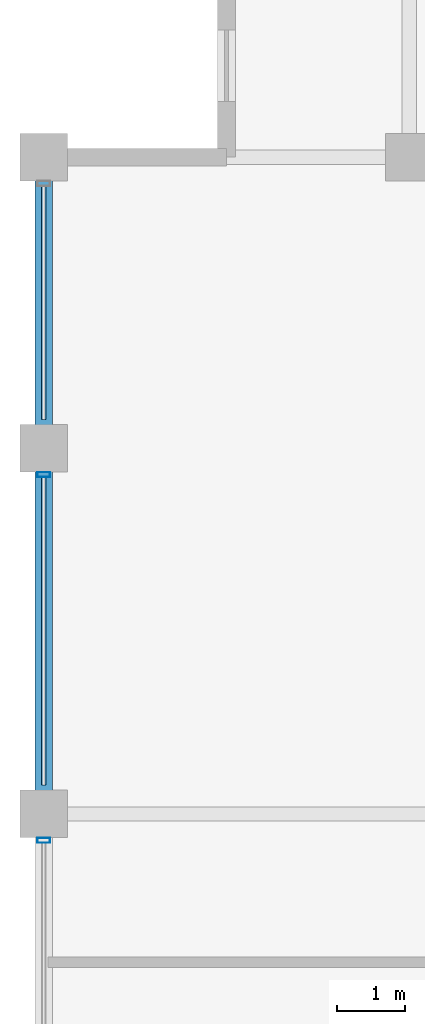
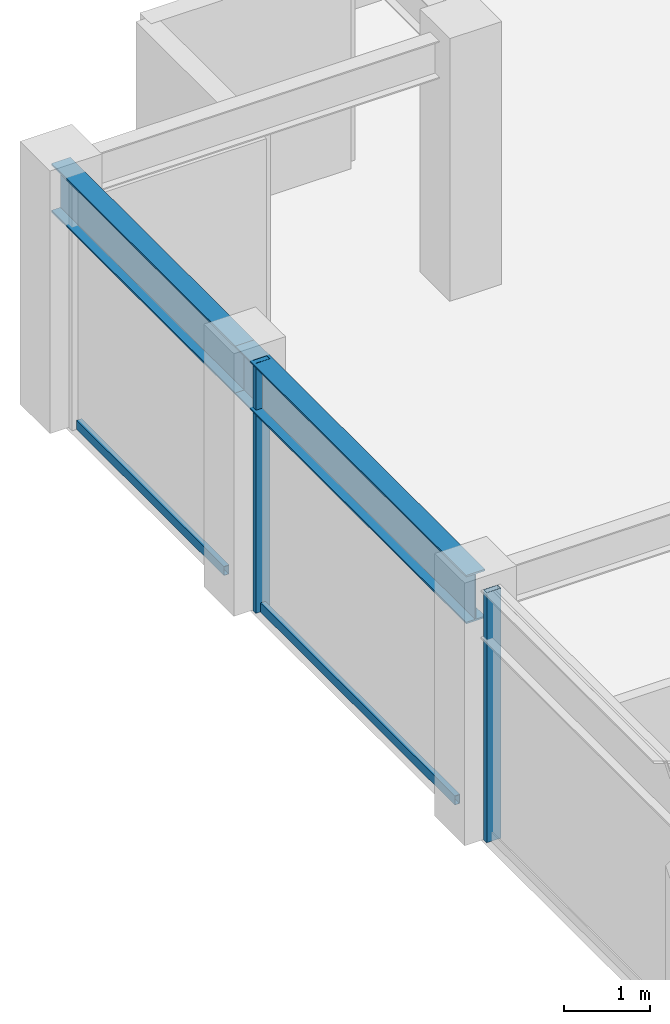
# One storey, part 14 of 31: 4 members, 2 beams, 1 element without a shape of its own.
"""IFC4 building model written with IfcOpenShell, lengths in metres."""

from ifc_helpers import new_model, si_unit, direction, frame, origin, origin_2d, place, context, subcontext, project, spatial, hollow_rectangle, i_section, extrude, material, layer, layer_set, material_profile, profile_set, type_object, element, aggregate, save


model = new_model("IFC4")

# Units and contexts
model_context = context("Model", 3, precision=1e-05, world=origin(), true_north=direction((0.0, 1.0)))
body_context = subcontext(model_context, "Body", "Model", "MODEL_VIEW")
ifc_project = project(units=[si_unit("LENGTHUNIT", "METRE"), si_unit("AREAUNIT", "SQUARE_METRE"), si_unit("VOLUMEUNIT", "CUBIC_METRE"), si_unit("PLANEANGLEUNIT", "RADIAN"), si_unit("MASSUNIT", "GRAM", prefix="KILO")], contexts=[model_context])

# Site, building, storey
site_placement = place(None, origin())
site = spatial("IfcSite", under=ifc_project, at=site_placement, CompositionType="ELEMENT")
building_placement = place(site_placement, origin())
building = spatial("IfcBuilding", under=site, at=building_placement, Name="Surkhivell Harbour Commons", CompositionType="ELEMENT")
storey_placement = place(building_placement, frame((0.0, 0.0, 330.0)))
storey = spatial("IfcBuildingStorey", under=building, at=storey_placement, Name="L86", CompositionType="ELEMENT", Elevation=330.0)

# Beams
ifc_material_1 = material(Name="Steel S355", Category="steel")
ifc_material_profile_1 = material_profile(ifc_material_1, i_section(OverallWidth=0.256103515625, OverallDepth=0.693115234375, WebThickness=0.014404296875, FlangeThickness=0.023681640625, at=origin_2d()), Name="UB686x254x170")
ifc_profile_set_1 = profile_set([ifc_material_profile_1], Name="Steel S355")
beam_type = type_object("IfcBeamType", Name="BM-SPN-686", PredefinedType="SPANDREL", material=ifc_profile_set_1)
beam_1_placement = place(storey_placement, frame((-27.0, 10.800048828125, 3.223388671875), z_axis=(0.0, 1.0, 0.0), x_axis=(-1.0, 0.0, 0.0)))
element("IfcBeam", 1, at=beam_1_placement, inside=storey, type_object=beam_type, Name="L86 Tube Spandrel (-27.0,10.8)", PredefinedType="SPANDREL", context=body_context, shape_type="SweptSolid", body=[
    extrude(i_section(OverallWidth=0.256103515625, OverallDepth=0.693115234375, WebThickness=0.014404296875, FlangeThickness=0.023681640625, at=origin_2d()), origin(), (0.0, 0.0, 1.0), 5.39990234375),
])
beam_2_placement = place(storey_placement, frame((-27.0, 16.199951171875, 3.223388671875), z_axis=(0.0, 1.0, 0.0), x_axis=(-1.0, 0.0, 0.0)))
element("IfcBeam", 2, at=beam_2_placement, inside=storey, type_object=beam_type, Name="L86 Tube Spandrel (-27.0,16.2)", PredefinedType="SPANDREL", context=body_context, shape_type="SweptSolid", body=[
    extrude(i_section(OverallWidth=0.256103515625, OverallDepth=0.693115234375, WebThickness=0.014404296875, FlangeThickness=0.023681640625, at=origin_2d()), origin(), (0.0, 0.0, 1.0), 4.300048828125),
])

# Curtain wall, members
ifc_material_2 = material(Name="Anodised pale-metal aluminium and insulated glazing", Category="aluminium")
ifc_layer = layer(ifc_material_2, 0.175048828125)
ifc_layer_set = layer_set([ifc_layer], Name="Anodised pale-metal aluminium and insulated glazing")
curtain_wall_type = type_object("IfcCurtainWallType", Name="CW-SYS-Z4", PredefinedType="NOTDEFINED", material=ifc_layer_set)
curtain_wall_placement = place(storey_placement, origin())
curtain_wall = element("IfcCurtainWall", 3, at=curtain_wall_placement, inside=storey, type_object=curtain_wall_type, Name="L86 Curtain Wall CW-L86-E12S1", PredefinedType="NOTDEFINED")
ifc_material_3 = material(Name="Anodised pale-metal aluminium alloy 6063-T6", Category="aluminium")
ifc_material_profile_2 = material_profile(ifc_material_3, hollow_rectangle(XDim=0.074951171875, YDim=0.18994140625, WallThickness=0.00390625, at=origin_2d()), Name="ALU-MULL-75x190")
ifc_profile_set_2 = profile_set([ifc_material_profile_2], Name="Anodised pale-metal aluminium alloy 6063-T6")
member_type_1 = type_object("IfcMemberType", Name="CWM-190", PredefinedType="MULLION", material=ifc_profile_set_2)
member_1_placement = place(storey_placement, frame((-27.0, 15.810546875, 0.0), z_axis=(0.0, 0.0, 1.0), x_axis=(0.0, -1.0, 0.0)))
member_1 = element("IfcMember", 4, at=member_1_placement, type_object=member_type_1, Name="CW-Z4 mullion 2", PredefinedType="MULLION", context=body_context, shape_type="SweptSolid", body=[
    extrude(hollow_rectangle(XDim=0.074951171875, YDim=0.18994140625, WallThickness=0.00390625, at=origin_2d()), origin(), (0.0, 0.0, 1.0), 3.570068359375),
])
member_2_placement = place(storey_placement, frame((-27.0, 10.410400390625, 0.0), z_axis=(0.0, 0.0, 1.0), x_axis=(0.0, -1.0, 0.0)))
member_2 = element("IfcMember", 5, at=member_2_placement, type_object=member_type_1, Name="CW-Z4 mullion 3", PredefinedType="MULLION", context=body_context, shape_type="SweptSolid", body=[
    extrude(hollow_rectangle(XDim=0.074951171875, YDim=0.18994140625, WallThickness=0.00390625, at=origin_2d()), origin(), (0.0, 0.0, 1.0), 3.570068359375),
])
ifc_material_4 = material(Name="Champagne anodised aluminium alloy 6063-T6", Category="aluminium")
ifc_material_profile_3 = material_profile(ifc_material_4, hollow_rectangle(XDim=0.070068359375, YDim=0.1298828125, WallThickness=0.00341796875, at=origin_2d()), Name="ALU-TRAN-70x130")
ifc_profile_set_3 = profile_set([ifc_material_profile_3], Name="Champagne anodised aluminium alloy 6063-T6")
member_type_2 = type_object("IfcMemberType", Name="CWT-130", PredefinedType="USERDEFINED", material=ifc_profile_set_3)
member_3_placement = place(storey_placement, frame((-27.0, 20.072998046875, 0.06494140625), z_axis=(0.0, -1.0, 0.0), x_axis=(1.0, 0.0, 0.0)))
member_3 = element("IfcMember", 6, at=member_3_placement, type_object=member_type_2, Name="CW-Z4 transom 1.1", ObjectType="TRANSOM", PredefinedType="USERDEFINED", context=body_context, shape_type="SweptSolid", body=[
    extrude(hollow_rectangle(XDim=0.070068359375, YDim=0.1298828125, WallThickness=0.00341796875, at=origin_2d()), origin(), (0.0, 0.0, 1.0), 3.446044921875),
])
member_4_placement = place(storey_placement, frame((-27.0, 15.77294921875, 0.06494140625), z_axis=(0.0, -1.0, 0.0), x_axis=(1.0, 0.0, 0.0)))
member_4 = element("IfcMember", 7, at=member_4_placement, type_object=member_type_2, Name="CW-Z4 transom 2.1", ObjectType="TRANSOM", PredefinedType="USERDEFINED", context=body_context, shape_type="SweptSolid", body=[
    extrude(hollow_rectangle(XDim=0.070068359375, YDim=0.1298828125, WallThickness=0.00341796875, at=origin_2d()), origin(), (0.0, 0.0, 1.0), 4.5458984375),
])
aggregate(curtain_wall, [member_3, member_1, member_4, member_2])

save(model, "model.ifc")
